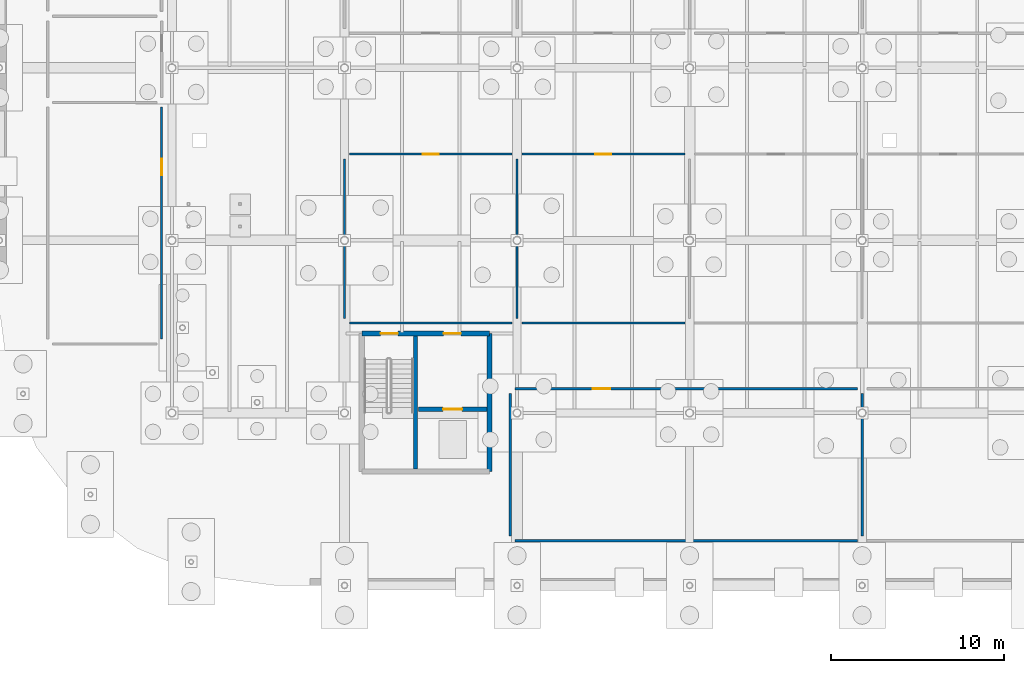
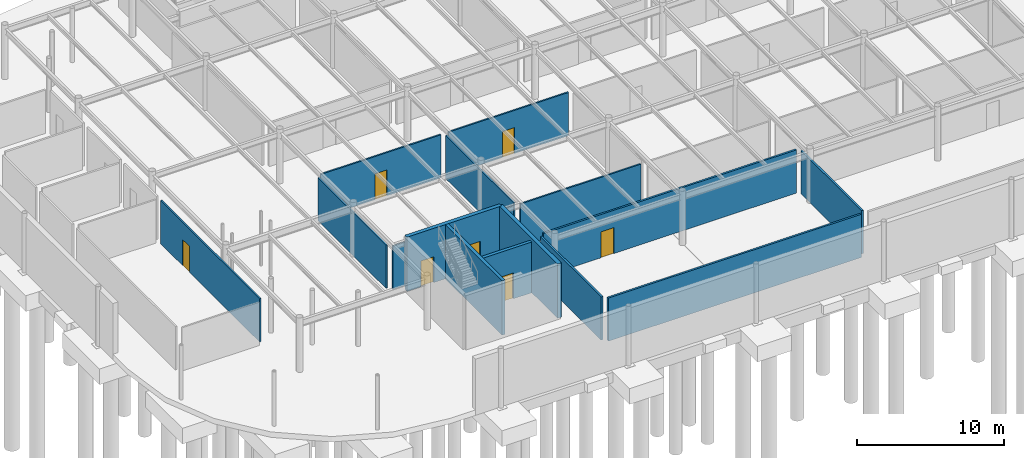
# One storey, part 61 of 75: 15 walls, 7 doors, 7 openings.
"""IFC4 building model written with IfcOpenShell, lengths in metres."""

from ifc_helpers import new_model, si_unit, derived_unit, direction, frame, frame_2d, origin, place, context, subcontext, project, spatial, rectangle, extrude, material, layer, layer_set, type_object, element, fill, save


model = new_model("IFC4")

# Units and contexts
model_context = context("Model", 3, precision=1e-05, world=origin(), true_north=direction((0.0, 1.0)))
body_context = subcontext(model_context, "Body", "Model", "MODEL_VIEW")
ifc_project = project(units=[si_unit("LENGTHUNIT", "METRE"), si_unit("AREAUNIT", "SQUARE_METRE"), si_unit("VOLUMEUNIT", "CUBIC_METRE"), si_unit("PLANEANGLEUNIT", "RADIAN"), si_unit("MASSUNIT", "GRAM", prefix="KILO"), derived_unit("THERMALTRANSMITTANCEUNIT", [(si_unit("POWERUNIT", "WATT"), 1), (si_unit("LENGTHUNIT", "METRE"), -2), (si_unit("THERMODYNAMICTEMPERATUREUNIT", "KELVIN"), -1)])], contexts=[model_context])

# Site, building, storey
site_placement = place(None, origin())
site = spatial("IfcSite", under=ifc_project, at=site_placement, CompositionType="ELEMENT")
building_placement = place(site_placement, origin())
building = spatial("IfcBuilding", under=site, at=building_placement, Name="Cinnabar Yard Market Hall", CompositionType="ELEMENT")
storey_placement = place(building_placement, frame((0.0, 0.0, -4.5)))
storey = spatial("IfcBuildingStorey", under=building, at=storey_placement, Name="B1", CompositionType="ELEMENT", Elevation=-4.5)

# Walls
ifc_material_1 = material(Name="Acoustic steel-stud plasterboard", Category="steel")
ifc_layer_1 = layer(ifc_material_1, 0.1201171875)
ifc_layer_set_1 = layer_set([ifc_layer_1], Name="Acoustic steel-stud plasterboard")
wall_type_1 = type_object("IfcWallType", Name="WL-PT120", PredefinedType="PARTITIONING", material=ifc_layer_set_1)
wall_1_placement = place(storey_placement, frame((86.280029296875, 29.199951171875, 0.0), z_axis=(0.0, 0.0, 1.0), x_axis=(1.0, 0.0, 0.0)))
element("IfcWall", 1, at=wall_1_placement, inside=storey, type_object=wall_type_1, Name="Partition Specialty Grocer Shop B01 south", PredefinedType="PARTITIONING", context=body_context, shape_type="SweptSolid", body=[
    extrude(rectangle(XDim=9.43994140625, YDim=0.1201171875, at=frame_2d((4.719970703125, 0.0), x_axis=(1.0, 0.0))), origin(), (0.0, 0.0, 1.0), 3.580078125),
])
wall_2_placement = place(storey_placement, frame((96.0, 29.47998046875, 0.0), z_axis=(0.0, 0.0, 1.0), x_axis=(0.0, 1.0, 0.0)))
element("IfcWall", 2, at=wall_2_placement, inside=storey, type_object=wall_type_1, Name="Partition Specialty Grocer Shop B01 east", PredefinedType="PARTITIONING", context=body_context, shape_type="SweptSolid", body=[
    extrude(rectangle(XDim=9.239990234375, YDim=0.1201171875, at=frame_2d((4.6201171875, 0.0), x_axis=(1.0, 0.0))), origin(), (0.0, 0.0, 1.0), 3.580078125),
])

# Wall, opening, door
wall_3_placement = place(storey_placement, frame((95.719970703125, 39.0, 0.0), z_axis=(0.0, 0.0, 1.0), x_axis=(-1.0, 0.0, 0.0)))
wall_3 = element("IfcWall", 3, at=wall_3_placement, inside=storey, type_object=wall_type_1, Name="Partition Specialty Grocer Shop B01 north", PredefinedType="PARTITIONING", context=body_context, shape_type="SweptSolid", body=[
    extrude(rectangle(XDim=9.43994140625, YDim=0.1201171875, at=frame_2d((4.719970703125, 0.0), x_axis=(1.0, 0.0))), origin(), (0.0, 0.0, 1.0), 3.580078125),
])
opening_1_placement = place(wall_3_placement, frame((4.2451171875, 0.0, 0.0)))
opening_1 = element("IfcOpeningElement", 4, at=opening_1_placement, cuts=wall_3, Name="Opening ID-090", PredefinedType="OPENING", context=body_context, shape_type="SweptSolid", body=[
    extrude(rectangle(XDim=0.949951171875, YDim=2.14990234375, at=frame_2d((0.47509765625, 1.074951171875), x_axis=(1.0, 0.0))), frame((0.0, 0.070068359375, 0.0), z_axis=(0.0, -1.0, 0.0), x_axis=(1.0, 0.0, 0.0)), (0.0, 0.0, 1.0), 0.14013671875),
])
ifc_material_2 = material(Name="Solid-core spotted gum timber", Category="wood")
door_type_1 = type_object("IfcDoorType", Name="DR-D06", OperationType="NOTDEFINED", PredefinedType="DOOR", material=ifc_material_2)
door_1_placement = place(opening_1_placement, origin())
door_1 = element("IfcDoor", 5, at=door_1_placement, inside=storey, type_object=door_type_1, Name="Interior Door ID-090", OperationType="SINGLE_SWING_LEFT", OverallHeight=2.14990234375, OverallWidth=0.949951171875, PredefinedType="DOOR", context=body_context, shape_type="SweptSolid", body=[
    extrude(rectangle(XDim=0.949951171875, YDim=2.14990234375, at=frame_2d((0.47509765625, 1.074951171875), x_axis=(1.0, 0.0))), frame((0.0, 0.02490234375, 0.0), z_axis=(0.0, -1.0, 0.0), x_axis=(1.0, 0.0, 0.0)), (0.0, 0.0, 1.0), 0.050048828125),
])
fill(opening_1, door_1)

# Walls
wall_4_placement = place(storey_placement, frame((86.0, 38.719970703125, 0.0), z_axis=(0.0, 0.0, 1.0), x_axis=(0.0, -1.0, 0.0)))
element("IfcWall", 6, at=wall_4_placement, inside=storey, type_object=wall_type_1, Name="Partition Specialty Grocer Shop B01 west", PredefinedType="PARTITIONING", context=body_context, shape_type="SweptSolid", body=[
    extrude(rectangle(XDim=9.239990234375, YDim=0.1201171875, at=frame_2d((4.6201171875, 0.0), x_axis=(1.0, 0.0))), origin(), (0.0, 0.0, 1.0), 3.580078125),
])
wall_5_placement = place(storey_placement, frame((96.280029296875, 29.199951171875, 0.0), z_axis=(0.0, 0.0, 1.0), x_axis=(1.0, 0.0, 0.0)))
element("IfcWall", 7, at=wall_5_placement, inside=storey, type_object=wall_type_1, Name="Partition Wine and Olive Merchant Shop B02 south", PredefinedType="PARTITIONING", context=body_context, shape_type="SweptSolid", body=[
    extrude(rectangle(XDim=9.43994140625, YDim=0.1201171875, at=frame_2d((4.719970703125, 0.0), x_axis=(1.0, 0.0))), origin(), (0.0, 0.0, 1.0), 3.580078125),
])

# Wall, opening, door
wall_6_placement = place(storey_placement, frame((105.719970703125, 39.0, 0.0), z_axis=(0.0, 0.0, 1.0), x_axis=(-1.0, 0.0, 0.0)))
wall_6 = element("IfcWall", 8, at=wall_6_placement, inside=storey, type_object=wall_type_1, Name="Partition Wine and Olive Merchant Shop B02 north", PredefinedType="PARTITIONING", context=body_context, shape_type="SweptSolid", body=[
    extrude(rectangle(XDim=9.43994140625, YDim=0.1201171875, at=frame_2d((4.719970703125, 0.0), x_axis=(1.0, 0.0))), origin(), (0.0, 0.0, 1.0), 3.580078125),
])
opening_2_placement = place(wall_6_placement, frame((4.260009765625, 0.0, 0.0)))
opening_2 = element("IfcOpeningElement", 9, at=opening_2_placement, cuts=wall_6, Name="Opening ID-091", PredefinedType="OPENING", context=body_context, shape_type="SweptSolid", body=[
    extrude(rectangle(XDim=0.919921875, YDim=2.14990234375, at=frame_2d((0.4599609375, 1.074951171875), x_axis=(1.0, 0.0))), frame((0.0, 0.070068359375, 0.0), z_axis=(0.0, -1.0, 0.0), x_axis=(1.0, 0.0, 0.0)), (0.0, 0.0, 1.0), 0.14013671875),
])
door_type_2 = type_object("IfcDoorType", Name="DR-D07", OperationType="NOTDEFINED", PredefinedType="DOOR", material=ifc_material_2)
door_2_placement = place(opening_2_placement, origin())
door_2 = element("IfcDoor", 10, at=door_2_placement, inside=storey, type_object=door_type_2, Name="Interior Door ID-091", OperationType="SINGLE_SWING_RIGHT", OverallHeight=2.14990234375, OverallWidth=0.919921875, PredefinedType="DOOR", context=body_context, shape_type="SweptSolid", body=[
    extrude(rectangle(XDim=0.919921875, YDim=2.14990234375, at=frame_2d((0.4599609375, 1.074951171875), x_axis=(1.0, 0.0))), frame((0.0, 0.02490234375, 0.0), z_axis=(0.0, -1.0, 0.0), x_axis=(1.0, 0.0, 0.0)), (0.0, 0.0, 1.0), 0.050048828125),
])
fill(opening_2, door_2)

wall_7_placement = place(storey_placement, frame((75.39990234375, 28.280029296875, 0.0), z_axis=(0.0, 0.0, 1.0), x_axis=(0.0, 1.0, 0.0)))
wall_7 = element("IfcWall", 11, at=wall_7_placement, inside=storey, type_object=wall_type_1, Name="Partition End-of-Trip Cycle Store and Lockers east", PredefinedType="PARTITIONING", context=body_context, shape_type="SweptSolid", body=[
    extrude(rectangle(XDim=13.43994140625, YDim=0.1201171875, at=frame_2d((6.719970703125, 0.0), x_axis=(1.0, 0.0))), origin(), (0.0, 0.0, 1.0), 3.580078125),
])
opening_3_placement = place(wall_7_placement, frame((9.492431640625, 0.0, 0.0)))
opening_3 = element("IfcOpeningElement", 12, at=opening_3_placement, cuts=wall_7, Name="Opening ID-102", PredefinedType="OPENING", context=body_context, shape_type="SweptSolid", body=[
    extrude(rectangle(XDim=0.949951171875, YDim=2.14990234375, at=frame_2d((0.47509765625, 1.074951171875), x_axis=(1.0, 0.0))), frame((0.0, 0.070068359375, 0.0), z_axis=(0.0, -1.0, 0.0), x_axis=(1.0, 0.0, 0.0)), (0.0, 0.0, 1.0), 0.14013671875),
])
door_3_placement = place(opening_3_placement, origin())
door_3 = element("IfcDoor", 13, at=door_3_placement, inside=storey, type_object=door_type_1, Name="Interior Door ID-102", OperationType="SINGLE_SWING_LEFT", OverallHeight=2.14990234375, OverallWidth=0.949951171875, PredefinedType="DOOR", context=body_context, shape_type="SweptSolid", body=[
    extrude(rectangle(XDim=0.949951171875, YDim=2.14990234375, at=frame_2d((0.47509765625, 1.074951171875), x_axis=(1.0, 0.0))), frame((0.0, 0.02490234375, 0.0), z_axis=(0.0, -1.0, 0.0), x_axis=(1.0, 0.0, 0.0)), (0.0, 0.0, 1.0), 0.050048828125),
])
fill(opening_3, door_3)

# Walls
ifc_material_3 = material(Name="Fire-rated steel-stud plasterboard", Category="steel")
ifc_layer_2 = layer(ifc_material_3, 0.14990234375)
ifc_layer_set_2 = layer_set([ifc_layer_2], Name="Fire-rated steel-stud plasterboard")
wall_type_2 = type_object("IfcWallType", Name="WL-PT150", PredefinedType="PARTITIONING", material=ifc_layer_set_2)
wall_8_placement = place(storey_placement, frame((95.8798828125, 16.60009765625, 0.0), z_axis=(0.0, 0.0, 1.0), x_axis=(1.0, 0.0, 0.0)))
element("IfcWall", 14, at=wall_8_placement, inside=storey, type_object=wall_type_2, Name="Partition CO2 Cold-Chain Refrigeration Plant Room south", PredefinedType="PARTITIONING", context=body_context, shape_type="SweptSolid", body=[
    extrude(rectangle(XDim=19.840087890625, YDim=0.14990234375, at=frame_2d((9.919921875, 0.0), x_axis=(1.0, 0.0))), origin(), (0.0, 0.0, 1.0), 3.580078125),
])
wall_9_placement = place(storey_placement, frame((116.0, 16.8798828125, 0.0), z_axis=(0.0, 0.0, 1.0), x_axis=(0.0, 1.0, 0.0)))
element("IfcWall", 15, at=wall_9_placement, inside=storey, type_object=wall_type_2, Name="Partition CO2 Cold-Chain Refrigeration Plant Room east", PredefinedType="PARTITIONING", context=body_context, shape_type="SweptSolid", body=[
    extrude(rectangle(XDim=8.240234375, YDim=0.14990234375, at=frame_2d((4.1201171875, 0.0), x_axis=(1.0, 0.0))), origin(), (0.0, 0.0, 1.0), 3.580078125),
])

# Wall, opening, door
wall_10_placement = place(storey_placement, frame((115.719970703125, 25.39990234375, 0.0), z_axis=(0.0, 0.0, 1.0), x_axis=(-1.0, 0.0, 0.0)))
wall_10 = element("IfcWall", 16, at=wall_10_placement, inside=storey, type_object=wall_type_2, Name="Partition CO2 Cold-Chain Refrigeration Plant Room north", PredefinedType="PARTITIONING", context=body_context, shape_type="SweptSolid", body=[
    extrude(rectangle(XDim=19.840087890625, YDim=0.14990234375, at=frame_2d((9.919921875, 0.0), x_axis=(1.0, 0.0))), origin(), (0.0, 0.0, 1.0), 3.580078125),
])
opening_4_placement = place(wall_10_placement, frame((14.318359375, 0.0, 0.0)))
opening_4 = element("IfcOpeningElement", 17, at=opening_4_placement, cuts=wall_10, Name="Opening ID-106", PredefinedType="OPENING", context=body_context, shape_type="SweptSolid", body=[
    extrude(rectangle(XDim=1.0, YDim=2.14990234375, at=frame_2d((0.5, 1.074951171875), x_axis=(1.0, 0.0))), frame((0.0, 0.0849609375, 0.0), z_axis=(0.0, -1.0, 0.0), x_axis=(1.0, 0.0, 0.0)), (0.0, 0.0, 1.0), 0.169921875),
])
door_type_3 = type_object("IfcDoorType", Name="DR-D05", OperationType="NOTDEFINED", PredefinedType="DOOR", material=ifc_material_2)
door_4_placement = place(opening_4_placement, origin())
door_4 = element("IfcDoor", 18, at=door_4_placement, inside=storey, type_object=door_type_3, Name="Interior Door ID-106", OperationType="SINGLE_SWING_LEFT", OverallHeight=2.14990234375, OverallWidth=1.0, PredefinedType="DOOR", context=body_context, shape_type="SweptSolid", body=[
    extrude(rectangle(XDim=1.0, YDim=2.14990234375, at=frame_2d((0.5, 1.074951171875), x_axis=(1.0, 0.0))), frame((0.0, 0.02490234375, 0.0), z_axis=(0.0, -1.0, 0.0), x_axis=(1.0, 0.0, 0.0)), (0.0, 0.0, 1.0), 0.050048828125),
])
fill(opening_4, door_4)

# Walls
wall_11_placement = place(storey_placement, frame((95.60009765625, 25.1201171875, 0.0), z_axis=(0.0, 0.0, 1.0), x_axis=(0.0, -1.0, 0.0)))
element("IfcWall", 19, at=wall_11_placement, inside=storey, type_object=wall_type_2, Name="Partition CO2 Cold-Chain Refrigeration Plant Room west", PredefinedType="PARTITIONING", context=body_context, shape_type="SweptSolid", body=[
    extrude(rectangle(XDim=8.240234375, YDim=0.14990234375, at=frame_2d((4.1201171875, 0.0), x_axis=(1.0, 0.0))), origin(), (0.0, 0.0, 1.0), 3.580078125),
])
ifc_material_4 = material(Name="Concrete 40 MPa", Category="concrete")
ifc_layer_3 = layer(ifc_material_4, 0.300048828125)
ifc_layer_set_3 = layer_set([ifc_layer_3], Name="Concrete 40 MPa")
wall_type_3 = type_object("IfcWallType", Name="WL-W-CORE", PredefinedType="SHEAR", material=ifc_layer_set_3)
wall_12_placement = place(storey_placement, frame((94.39990234375, 20.60009765625, 0.0), z_axis=(0.0, 0.0, 1.0), x_axis=(0.0, 1.0, 0.0)))
element("IfcWall", 20, at=wall_12_placement, inside=storey, type_object=wall_type_3, Name="Core C1 East Shear Wall B1", PredefinedType="SHEAR", context=body_context, shape_type="SweptSolid", body=[
    extrude(rectangle(XDim=8.0, YDim=0.300048828125, at=frame_2d((4.0, 0.0), x_axis=(1.0, 0.0))), origin(), (0.0, 0.0, 1.0), 4.5),
])

# Wall, openings, doors
wall_13_placement = place(storey_placement, frame((94.39990234375, 28.60009765625, 0.0), z_axis=(0.0, 0.0, 1.0), x_axis=(-1.0, 0.0, 0.0)))
wall_13 = element("IfcWall", 21, at=wall_13_placement, inside=storey, type_object=wall_type_3, Name="Core C1 North Shear Wall B1", PredefinedType="SHEAR", context=body_context, shape_type="SweptSolid", body=[
    extrude(rectangle(XDim=7.39990234375, YDim=0.300048828125, at=frame_2d((3.699951171875, 0.0), x_axis=(1.0, 0.0))), origin(), (0.0, 0.0, 1.0), 4.5),
])
opening_5_placement = place(wall_13_placement, frame((1.64990234375, 0.0, 0.0)))
opening_5 = element("IfcOpeningElement", 22, at=opening_5_placement, cuts=wall_13, Name="Opening CD-001", PredefinedType="OPENING", context=body_context, shape_type="SweptSolid", body=[
    extrude(rectangle(XDim=1.0, YDim=2.14990234375, at=frame_2d((0.5, 1.074951171875), x_axis=(1.0, 0.0))), frame((0.0, 0.159912109375, 0.0), z_axis=(0.0, -1.0, 0.0), x_axis=(1.0, 0.0, 0.0)), (0.0, 0.0, 1.0), 0.320068359375),
])
opening_6_placement = place(wall_13_placement, frame((5.300048828125, 0.0, 0.0)))
opening_6 = element("IfcOpeningElement", 23, at=opening_6_placement, cuts=wall_13, Name="Opening CD-002", PredefinedType="OPENING", context=body_context, shape_type="SweptSolid", body=[
    extrude(rectangle(XDim=1.0, YDim=2.14990234375, at=frame_2d((0.5, 1.074951171875), x_axis=(1.0, 0.0))), frame((0.0, 0.159912109375, 0.0), z_axis=(0.0, -1.0, 0.0), x_axis=(1.0, 0.0, 0.0)), (0.0, 0.0, 1.0), 0.320068359375),
])
door_5_placement = place(opening_5_placement, origin())
door_5 = element("IfcDoor", 24, at=door_5_placement, inside=storey, type_object=door_type_3, Name="Core Door CD-001", OperationType="SINGLE_SWING_RIGHT", OverallHeight=2.14990234375, OverallWidth=1.0, PredefinedType="DOOR", context=body_context, shape_type="SweptSolid", body=[
    extrude(rectangle(XDim=1.0, YDim=2.14990234375, at=frame_2d((0.5, 1.074951171875), x_axis=(1.0, 0.0))), frame((0.0, 0.02490234375, 0.0), z_axis=(0.0, -1.0, 0.0), x_axis=(1.0, 0.0, 0.0)), (0.0, 0.0, 1.0), 0.050048828125),
])
fill(opening_5, door_5)
door_6_placement = place(opening_6_placement, origin())
door_6 = element("IfcDoor", 25, at=door_6_placement, inside=storey, type_object=door_type_3, Name="Core Door CD-002", OperationType="SINGLE_SWING_LEFT", OverallHeight=2.14990234375, OverallWidth=1.0, PredefinedType="DOOR", context=body_context, shape_type="SweptSolid", body=[
    extrude(rectangle(XDim=1.0, YDim=2.14990234375, at=frame_2d((0.5, 1.074951171875), x_axis=(1.0, 0.0))), frame((0.0, 0.02490234375, 0.0), z_axis=(0.0, -1.0, 0.0), x_axis=(1.0, 0.0, 0.0)), (0.0, 0.0, 1.0), 0.050048828125),
])
fill(opening_6, door_6)

# Wall
ifc_layer_4 = layer(ifc_material_4, 0.25)
ifc_layer_set_4 = layer_set([ifc_layer_4], Name="Concrete 40 MPa")
wall_type_4 = type_object("IfcWallType", Name="WL-W-SHAFT", PredefinedType="SHEAR", material=ifc_layer_set_4)
wall_14_placement = place(storey_placement, frame((90.114990234375, 20.75, 0.0), z_axis=(0.0, 0.0, 1.0), x_axis=(0.0, 1.0, 0.0)))
element("IfcWall", 26, at=wall_14_placement, inside=storey, type_object=wall_type_4, Name="Core C1 Shaft Divider B1", PredefinedType="SHEAR", context=body_context, shape_type="SweptSolid", body=[
    extrude(rectangle(XDim=7.699951171875, YDim=0.25, at=frame_2d((3.85009765625, 0.0), x_axis=(1.0, 0.0))), origin(), (0.0, 0.0, 1.0), 4.5),
])

# Wall, opening, door
wall_15_placement = place(storey_placement, frame((90.280029296875, 24.219970703125, 0.0), z_axis=(0.0, 0.0, 1.0), x_axis=(1.0, 0.0, 0.0)))
wall_15 = element("IfcWall", 27, at=wall_15_placement, inside=storey, type_object=wall_type_4, Name="Core C1 Lift Front Wall B1", PredefinedType="SHEAR", context=body_context, shape_type="SweptSolid", body=[
    extrude(rectangle(XDim=3.969970703125, YDim=0.25, at=frame_2d((1.98486328125, 0.0), x_axis=(1.0, 0.0))), origin(), (0.0, 0.0, 1.0), 4.199951171875),
])
opening_7_placement = place(wall_15_placement, frame((1.43505859375, 0.0, 0.0)))
opening_7 = element("IfcOpeningElement", 28, at=opening_7_placement, cuts=wall_15, Name="Opening LD-LF-01-B1", PredefinedType="OPENING", context=body_context, shape_type="SweptSolid", body=[
    extrude(rectangle(XDim=1.10009765625, YDim=2.14990234375, at=frame_2d((0.550048828125, 1.074951171875), x_axis=(1.0, 0.0))), frame((0.0, 0.135009765625, 0.0), z_axis=(0.0, -1.0, 0.0), x_axis=(1.0, 0.0, 0.0)), (0.0, 0.0, 1.0), 0.27001953125),
])
ifc_material_5 = material(Name="Brushed stainless steel landing door", Category="steel")
door_type_4 = type_object("IfcDoorType", Name="DR-LD01", OperationType="NOTDEFINED", PredefinedType="DOOR", material=ifc_material_5)
door_7_placement = place(opening_7_placement, origin())
door_7 = element("IfcDoor", 29, at=door_7_placement, inside=storey, type_object=door_type_4, Name="Lift Landing Door LD-LF-01-B1", OperationType="SLIDING_TO_LEFT", OverallHeight=2.14990234375, OverallWidth=1.10009765625, PredefinedType="DOOR", context=body_context, shape_type="SweptSolid", body=[
    extrude(rectangle(XDim=1.10009765625, YDim=2.14990234375, at=frame_2d((0.550048828125, 1.074951171875), x_axis=(1.0, 0.0))), frame((0.0, 0.02490234375, 0.0), z_axis=(0.0, -1.0, 0.0), x_axis=(1.0, 0.0, 0.0)), (0.0, 0.0, 1.0), 0.050048828125),
])
fill(opening_7, door_7)

save(model, "model.ifc")
